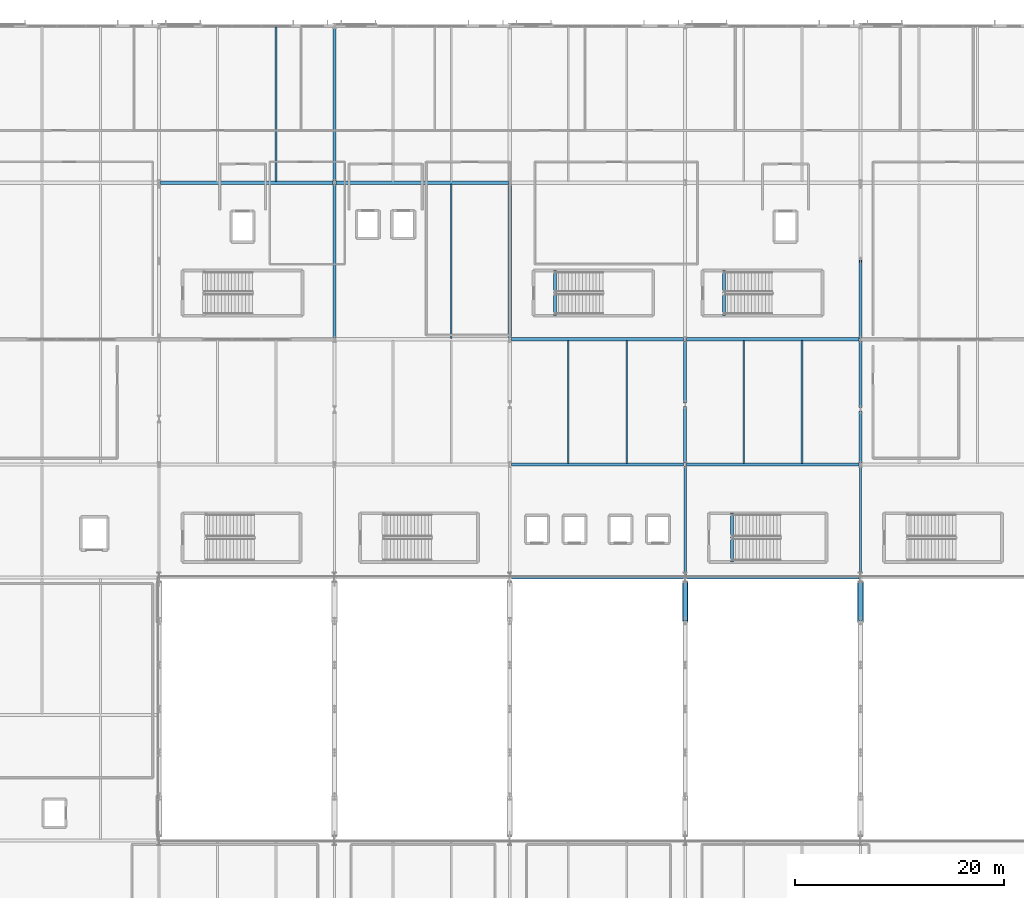
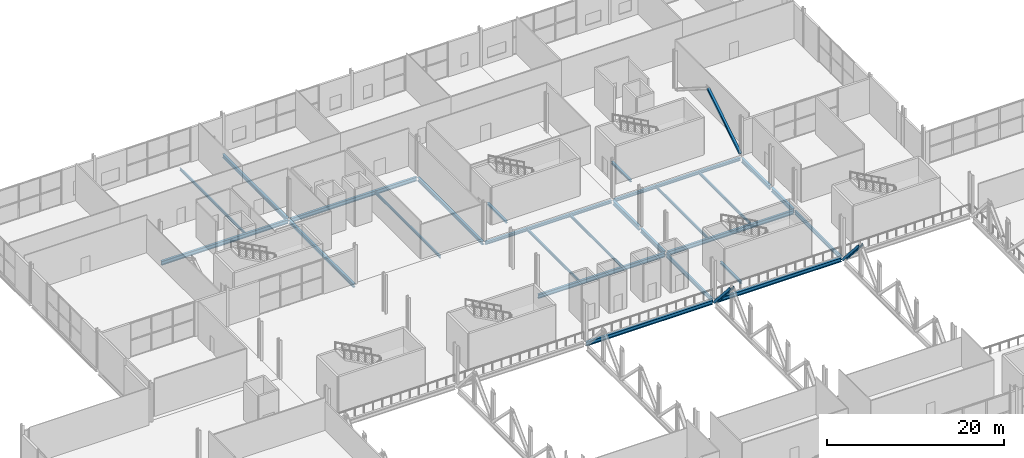
# One storey, part 31 of 84: 26 beams, 3 members.
"""IFC4 building model written with IfcOpenShell, lengths in metres."""

import ifcopenshell
import ifcopenshell.guid

model = None  # the IFC model being written
_history = None  # IfcOwnerHistory: only IFC2X3 demands one
_inside = {}  # id of a spatial element -> (the spatial element, [elements in it])
_under = {}  # id of a project, library or spatial element -> (it, [spatial elements below it])
_declared = {}  # id of a project -> (the project, [libraries it declares])
_typed = {}  # id of a type object -> (the type object, [elements of that type])
_made_of = {}  # id of a material, layer set ... -> (it, [elements and type objects made of it])


def new_model(schema):
    """Start an empty IFC model of exactly this schema.

    Asked for "IFC4X3", IfcOpenShell would pick the latest addendum, in which some entities
    have other attributes; the version numbers below select the first issue.
    IFC2X3 requires an IfcOwnerHistory on every rooted entity: one is made here for all.
    """
    global model, _history
    if schema == "IFC4X3":
        model = ifcopenshell.file(schema_version=(4, 3, 0, 0))
    else:
        model = ifcopenshell.file(schema=schema)
    _inside.clear()
    _under.clear()
    _declared.clear()
    _typed.clear()
    _made_of.clear()
    _history = None
    if model.schema == "IFC2X3":
        org = make("IfcOrganization", Name="unknown")
        user = make(
            "IfcPersonAndOrganization",
            ThePerson=make("IfcPerson", FamilyName="unknown"),
            TheOrganization=org,
        )
        app = make(
            "IfcApplication",
            ApplicationDeveloper=org,
            Version="unknown",
            ApplicationFullName="unknown",
            ApplicationIdentifier="unknown",
        )
        _history = make(
            "IfcOwnerHistory",
            OwningUser=user,
            OwningApplication=app,
            ChangeAction="ADDED",
            CreationDate=0,
        )
    return model


def make(cls, **values):
    """One entity of the class cls with the attributes given. An attribute that is None is left unset."""
    return model.create_entity(
        cls, **{name: value for name, value in values.items() if value is not None}
    )


def rooted(cls, **values):
    """An entity with a GlobalId (a new one), such as an element, a storey or a relation."""
    return make(cls, GlobalId=ifcopenshell.guid.new(), OwnerHistory=_history, **values)


def si_unit(unit_type, name, prefix=None):
    """IfcSIUnit, for example si_unit("LENGTHUNIT", "METRE", prefix="MILLI")."""
    return make("IfcSIUnit", UnitType=unit_type, Prefix=prefix, Name=name)


def assignment(units):
    """IfcUnitAssignment: the units of a project."""
    return None if units is None else make("IfcUnitAssignment", Units=units)


def point(xyz):
    """IfcCartesianPoint."""
    return None if xyz is None else make("IfcCartesianPoint", Coordinates=xyz)


def direction(xyz):
    """IfcDirection."""
    return None if xyz is None else make("IfcDirection", DirectionRatios=xyz)


def frame(location, z_axis=None, x_axis=None):
    """IfcAxis2Placement3D, a coordinate frame: its origin and axes. An axis left out is left unset."""
    return make(
        "IfcAxis2Placement3D",
        Location=point(location),
        Axis=direction(z_axis),
        RefDirection=direction(x_axis),
    )


def frame_2d(location, x_axis=None):
    """IfcAxis2Placement2D, a coordinate frame in the plane: its origin and x axis."""
    return make(
        "IfcAxis2Placement2D", Location=point(location), RefDirection=direction(x_axis)
    )


def origin():
    """The frame at (0, 0, 0) with its axes left unset."""
    return frame((0.0, 0.0, 0.0))


def origin_2d():
    """The frame at (0, 0) in the plane with its x axis left unset."""
    return frame_2d((0.0, 0.0))


def place(relative_to, where):
    """IfcLocalPlacement: puts the frame where relative to a parent placement (None: the world)."""
    return make(
        "IfcLocalPlacement", PlacementRelTo=relative_to, RelativePlacement=where
    )


def context(
    kind, dimensions, precision=None, world=None, true_north=None, identifier=None
):
    """IfcGeometricRepresentationContext, for example the 3D "Model" context."""
    return make(
        "IfcGeometricRepresentationContext",
        ContextIdentifier=identifier,
        ContextType=kind,
        CoordinateSpaceDimension=dimensions,
        Precision=precision,
        WorldCoordinateSystem=world,
        TrueNorth=true_north,
    )


def subcontext(parent, identifier, kind, view, scale=None):
    """IfcGeometricRepresentationSubContext, for example "Body" below "Model"."""
    return make(
        "IfcGeometricRepresentationSubContext",
        ContextIdentifier=identifier,
        ContextType=kind,
        ParentContext=parent,
        TargetScale=scale,
        TargetView=view,
    )


def project(units=None, contexts=None):
    """IfcProject with its units and contexts."""
    return rooted(
        "IfcProject",
        Name="project",
        RepresentationContexts=contexts,
        UnitsInContext=assignment(units),
    )


def spatial(cls, under=None, at=None, **own):
    """A site, building, storey or space (cls), placed at a placement, below another one or the project."""
    s = rooted(cls, ObjectPlacement=at, **own)
    if under is not None:
        _under.setdefault(under.id(), (under, []))[1].append(s)
    return s


def profile(cls, at=None, kind="AREA", **sizes):
    """A parametric profile (cls). Its sizes go by their IFC names, for example OverallWidth=200.0."""
    return make(cls, ProfileType=kind, Position=at, **sizes)


def i_section(**sizes):
    """IfcIShapeProfileDef."""
    return profile("IfcIShapeProfileDef", **sizes)


def extrude(swept, where, along, depth):
    """IfcExtrudedAreaSolid: the profile swept, set in the frame where, extruded along a direction by depth."""
    return make(
        "IfcExtrudedAreaSolid",
        SweptArea=swept,
        Position=where,
        ExtrudedDirection=direction(along),
        Depth=depth,
    )


def shape(context_of_items, identifier, shape_type, items):
    """IfcShapeRepresentation: the items that make up one representation, for example the "Body"."""
    return make(
        "IfcShapeRepresentation",
        ContextOfItems=context_of_items,
        RepresentationIdentifier=identifier,
        RepresentationType=shape_type,
        Items=items,
    )


def material(Name=None, Category=None):
    """IfcMaterial."""
    return make("IfcMaterial", Name=Name, Category=Category)


def material_profile(
    of_material, cross_section, Name=None, Category=None, Priority=None
):
    """IfcMaterialProfile: a cross section and its material."""
    return make(
        "IfcMaterialProfile",
        Name=Name,
        Material=of_material,
        Profile=cross_section,
        Priority=Priority,
        Category=Category,
    )


def profile_set(profiles, Name=None, composite=None):
    """IfcMaterialProfileSet."""
    return make(
        "IfcMaterialProfileSet",
        Name=Name,
        MaterialProfiles=profiles,
        CompositeProfile=composite,
    )


def made_of(thing, what):
    """Note that an element or type object is made of a material, layer set ...; save() writes the relation."""
    if what is not None:
        _made_of.setdefault(what.id(), (what, []))[1].append(thing)
    return thing


def type_object(cls, material=None, **own):
    """A type object (cls), such as IfcWallType, which elements share."""
    return made_of(rooted(cls, **own), material)


def element(
    cls,
    number,
    at=None,
    inside=None,
    cuts=None,
    type_object=None,
    material=None,
    context=None,
    identifier="Body",
    shape_type=None,
    held_by="IfcProductDefinitionShape",
    body=None,
    shapes=None,
    **own,
):
    """One element of the class cls, such as IfcWall. Its Tag is "e" and its number.

    at: its placement. inside: the storey or other place that contains it. cuts: it is an
    opening in that element (IfcRelVoidsElement). A single representation is given by context,
    identifier, shape_type and body (its items); several are given by shapes. held_by: the class
    of the entity that holds the representations. save() writes the other relations.
    """
    e = rooted(cls, Tag="e%d" % number, ObjectPlacement=at, **own)
    if body is not None:
        shapes = [shape(context, identifier, shape_type, body)]
    if shapes is not None:
        e.Representation = make(held_by, Representations=shapes)
    if inside is not None:
        _inside.setdefault(inside.id(), (inside, []))[1].append(e)
    if cuts is not None:
        rooted(
            "IfcRelVoidsElement", RelatingBuildingElement=cuts, RelatedOpeningElement=e
        )
    if type_object is not None:
        _typed.setdefault(type_object.id(), (type_object, []))[1].append(e)
    return made_of(e, material)


def aggregate(whole, parts):
    """IfcRelAggregates: a whole, such as a stair, and the parts it consists of."""
    return rooted("IfcRelAggregates", RelatingObject=whole, RelatedObjects=parts)


def save(model, path):
    """Write the relations noted so far, then the file.

    IfcRelAggregates (storeys below a building ...), IfcRelContainedInSpatialStructure (elements
    in a storey), IfcRelDefinesByType, IfcRelAssociatesMaterial and IfcRelDeclares: one each for
    every whole, place, type object, material and project.
    """
    for whole, parts in _under.values():
        aggregate(whole, parts)
    for where, things in _inside.values():
        rooted(
            "IfcRelContainedInSpatialStructure",
            RelatedElements=things,
            RelatingStructure=where,
        )
    for kind, things in _typed.values():
        rooted("IfcRelDefinesByType", RelatedObjects=things, RelatingType=kind)
    for what, things in _made_of.values():
        rooted("IfcRelAssociatesMaterial", RelatedObjects=things, RelatingMaterial=what)
    for by, libraries in _declared.values():
        rooted("IfcRelDeclares", RelatingContext=by, RelatedDefinitions=libraries)
    model.write(path)


model = new_model("IFC4")

# Units and contexts
model_context = context("Model", 3, precision=1e-05, world=origin(), true_north=direction((0.0, 1.0)))
body_context = subcontext(model_context, "Body", "Model", "MODEL_VIEW")
ifc_project = project(units=[si_unit("LENGTHUNIT", "METRE"), si_unit("AREAUNIT", "SQUARE_METRE"), si_unit("VOLUMEUNIT", "CUBIC_METRE"), si_unit("PLANEANGLEUNIT", "RADIAN"), si_unit("MASSUNIT", "GRAM", prefix="KILO")], contexts=[model_context])

# Site, building, storey
site_placement = place(None, origin())
site = spatial("IfcSite", under=ifc_project, at=site_placement, CompositionType="ELEMENT")
building_placement = place(site_placement, origin())
building = spatial("IfcBuilding", under=site, at=building_placement, Name="Kimbaza Rail Terminus", CompositionType="ELEMENT")
storey_placement = place(building_placement, frame((0.0, 0.0, 5.39990234375)))
storey = spatial("IfcBuildingStorey", under=building, at=storey_placement, Name="L01", CompositionType="ELEMENT", Elevation=5.39990234375)

# Beams
ifc_material_1 = material(Name="Steel S355", Category="steel")
ifc_material_profile_1 = material_profile(ifc_material_1, i_section(OverallWidth=0.300048828125, OverallDepth=0.2900390625, WebThickness=0.008544921875, FlangeThickness=0.013916015625, FilletRadius=0.027099609375, at=origin_2d()), Name="HEA 300")
ifc_profile_set_1 = profile_set([ifc_material_profile_1], Name="Steel S355")
beam_type_1 = type_object("IfcBeamType", Name="STR-BM-HEA300", PredefinedType="SPANDREL", material=ifc_profile_set_1)
for number, where, z_axis, x_axis, name in (
    (1, (109.919921875, 105.260009765625, -0.385009765625), (0.0, 1.0, 0.0), (-1.0, 0.0, 0.0), "Operations Central Exit Stair Landing Trimmer Beam L01"),
    (2, (126.1201171875, 105.260009765625, -0.385009765625), (0.0, 1.0, 0.0), (-1.0, 0.0, 0.0), "Operations East Exit Stair Landing Trimmer Beam L01"),
):
    element("IfcBeam", number, at=place(storey_placement, frame(where, z_axis=z_axis, x_axis=x_axis)), inside=storey, type_object=beam_type_1, Name=name, PredefinedType="SPANDREL", context=body_context, shape_type="SweptSolid", body=[
        extrude(i_section(OverallWidth=0.300048828125, OverallDepth=0.2900390625, WebThickness=0.008544921875, FlangeThickness=0.013916015625, FilletRadius=0.027099609375, at=origin_2d()), origin(), (0.0, 0.0, 1.0), 4.320068359375),
    ])
beam_1_placement = place(storey_placement, frame((126.89990234375, 81.659912109375, -0.364990234375), z_axis=(0.0, 1.0, 0.0), x_axis=(-1.0, 0.0, 0.0)))
element("IfcBeam", 3, at=beam_1_placement, inside=storey, type_object=beam_type_1, Name="Footbridge East Platform Stair Landing Trimmer Beam L01", PredefinedType="SPANDREL", context=body_context, shape_type="SweptSolid", body=[
    extrude(i_section(OverallWidth=0.300048828125, OverallDepth=0.2900390625, WebThickness=0.008544921875, FlangeThickness=0.013916015625, FilletRadius=0.027099609375, at=origin_2d()), origin(), (0.0, 0.0, 1.0), 4.68017578125),
])
ifc_material_2 = material(Name="Steel S355", Category="steel")
ifc_material_profile_2 = material_profile(ifc_material_2, i_section(OverallWidth=0.300048828125, OverallDepth=0.389892578125, WebThickness=0.010986328125, FlangeThickness=0.01904296875, FilletRadius=0.027099609375, at=origin_2d()), Name="HEA 400")
ifc_profile_set_2 = profile_set([ifc_material_profile_2], Name="Steel S355")
beam_type_2 = type_object("IfcBeamType", Name="STR-BM-HEA400", PredefinedType="SPANDREL", material=ifc_profile_set_2)
beam_2_placement = place(storey_placement, frame((105.74609375, 103.0, -0.434814453125), z_axis=(1.0, 0.0, 0.0), x_axis=(0.0, 1.0, 0.0)))
element("IfcBeam", 4, at=beam_2_placement, inside=storey, type_object=beam_type_2, Name="Operations Girder L01 X3-Y0", PredefinedType="SPANDREL", context=body_context, shape_type="SweptSolid", body=[
    extrude(i_section(OverallWidth=0.300048828125, OverallDepth=0.389892578125, WebThickness=0.010986328125, FlangeThickness=0.01904296875, FilletRadius=0.027099609375, at=origin_2d()), origin(), (0.0, 0.0, 1.0), 16.5078125),
])
beam_3_placement = place(storey_placement, frame((122.5458984375, 103.0, -0.434814453125), z_axis=(1.0, 0.0, 0.0), x_axis=(0.0, 1.0, 0.0)))
element("IfcBeam", 5, at=beam_3_placement, inside=storey, type_object=beam_type_2, Name="Operations Girder L01 X4-Y0", PredefinedType="SPANDREL", context=body_context, shape_type="SweptSolid", body=[
    extrude(i_section(OverallWidth=0.300048828125, OverallDepth=0.389892578125, WebThickness=0.010986328125, FlangeThickness=0.01904296875, FilletRadius=0.027099609375, at=origin_2d()), origin(), (0.0, 0.0, 1.0), 16.508056640625),
])
ifc_material_3 = material(Name="Steel S355", Category="steel")
ifc_material_profile_3 = material_profile(ifc_material_3, i_section(OverallWidth=0.300048828125, OverallDepth=0.5, WebThickness=0.014404296875, FlangeThickness=0.028076171875, FilletRadius=0.027099609375, at=origin_2d()), Name="HEB 500")
ifc_profile_set_3 = profile_set([ifc_material_profile_3], Name="Steel S355")
beam_type_3 = type_object("IfcBeamType", Name="STR-BM-HEB500", PredefinedType="BEAM", material=ifc_profile_set_3)
for number, where, z_axis, x_axis, name in (
    (6, (88.800048828125, 103.175048828125, -0.489990234375), (0.0, 1.0, 0.0), (-1.0, 0.0, 0.0), "Operations Cross Girder L01 X2-Y0"),
    (7, (88.800048828125, 118.175048828125, -0.489990234375), (0.0, 1.0, 0.0), (-1.0, 0.0, 0.0), "Operations Cross Girder L01 X2-Y1"),
    (8, (105.60009765625, 103.175048828125, -0.489990234375), (0.0, 1.0, 0.0), (-1.0, 0.0, 0.0), "Operations Cross Girder L01 X3-Y0"),
):
    element("IfcBeam", number, at=place(storey_placement, frame(where, z_axis=z_axis, x_axis=x_axis)), inside=storey, type_object=beam_type_3, Name=name, PredefinedType="BEAM", context=body_context, shape_type="SweptSolid", body=[
        extrude(i_section(OverallWidth=0.300048828125, OverallDepth=0.5, WebThickness=0.014404296875, FlangeThickness=0.028076171875, FilletRadius=0.027099609375, at=origin_2d()), origin(), (0.0, 0.0, 1.0), 14.64990234375),
    ])
ifc_material_4 = material(Name="Steel S355", Category="steel")
ifc_material_profile_4 = material_profile(ifc_material_4, i_section(OverallWidth=0.300048828125, OverallDepth=0.550048828125, WebThickness=0.014892578125, FlangeThickness=0.029052734375, FilletRadius=0.027099609375, at=origin_2d()), Name="HEB 550")
ifc_profile_set_4 = profile_set([ifc_material_profile_4], Name="Steel S355")
beam_type_4 = type_object("IfcBeamType", Name="STR-BM-HEB550", PredefinedType="BEAM", material=ifc_profile_set_4)
for number, where, z_axis, x_axis, name in (
    (9, (72.14599609375, 118.0, -0.514892578125), (1.0, 0.0, 0.0), (0.0, 1.0, 0.0), "Operations Girder L01 X1-Y1"),
    (10, (88.946044921875, 118.0, -0.514892578125), (1.0, 0.0, 0.0), (0.0, 1.0, 0.0), "Operations Girder L01 X2-Y1"),
):
    element("IfcBeam", number, at=place(storey_placement, frame(where, z_axis=z_axis, x_axis=x_axis)), inside=storey, type_object=beam_type_4, Name=name, PredefinedType="BEAM", context=body_context, shape_type="SweptSolid", body=[
        extrude(i_section(OverallWidth=0.300048828125, OverallDepth=0.550048828125, WebThickness=0.014892578125, FlangeThickness=0.029052734375, FilletRadius=0.027099609375, at=origin_2d()), origin(), (0.0, 0.0, 1.0), 16.508056640625),
    ])
beam_4_placement = place(storey_placement, frame((105.74609375, 80.199951171875, -0.494873046875), z_axis=(1.0, 0.0, 0.0), x_axis=(0.0, 1.0, 0.0)))
element("IfcBeam", 11, at=beam_4_placement, inside=storey, type_object=beam_type_4, Name="Beam BM-V2X-L01-80-4", PredefinedType="BEAM", context=body_context, shape_type="SweptSolid", body=[
    extrude(i_section(OverallWidth=0.300048828125, OverallDepth=0.550048828125, WebThickness=0.014892578125, FlangeThickness=0.029052734375, FilletRadius=0.027099609375, at=origin_2d()), origin(), (0.0, 0.0, 1.0), 16.5078125),
])
beam_5_placement = place(storey_placement, frame((122.5458984375, 80.199951171875, -0.494873046875), z_axis=(1.0, 0.0, 0.0), x_axis=(0.0, 1.0, 0.0)))
element("IfcBeam", 12, at=beam_5_placement, inside=storey, type_object=beam_type_4, Name="Beam BM-V2X-L01-80-5", PredefinedType="BEAM", context=body_context, shape_type="SweptSolid", body=[
    extrude(i_section(OverallWidth=0.300048828125, OverallDepth=0.550048828125, WebThickness=0.014892578125, FlangeThickness=0.029052734375, FilletRadius=0.027099609375, at=origin_2d()), origin(), (0.0, 0.0, 1.0), 16.508056640625),
])
beam_6_placement = place(storey_placement, frame((105.74609375, 91.0, -0.494873046875), z_axis=(1.0, 0.0, 0.0), x_axis=(0.0, 1.0, 0.0)))
element("IfcBeam", 13, at=beam_6_placement, inside=storey, type_object=beam_type_4, Name="Beam BM-V2X-L01-91-4", PredefinedType="BEAM", context=body_context, shape_type="SweptSolid", body=[
    extrude(i_section(OverallWidth=0.300048828125, OverallDepth=0.550048828125, WebThickness=0.014892578125, FlangeThickness=0.029052734375, FilletRadius=0.027099609375, at=origin_2d()), origin(), (0.0, 0.0, 1.0), 16.5078125),
])
beam_7_placement = place(storey_placement, frame((122.5458984375, 91.0, -0.494873046875), z_axis=(1.0, 0.0, 0.0), x_axis=(0.0, 1.0, 0.0)))
element("IfcBeam", 14, at=beam_7_placement, inside=storey, type_object=beam_type_4, Name="Beam BM-V2X-L01-91-5", PredefinedType="BEAM", context=body_context, shape_type="SweptSolid", body=[
    extrude(i_section(OverallWidth=0.300048828125, OverallDepth=0.550048828125, WebThickness=0.014892578125, FlangeThickness=0.029052734375, FilletRadius=0.027099609375, at=origin_2d()), origin(), (0.0, 0.0, 1.0), 16.508056640625),
])
ifc_material_5 = material(Name="Steel S355", Category="steel")
ifc_material_profile_5 = material_profile(ifc_material_5, i_section(OverallWidth=0.300048828125, OverallDepth=0.60009765625, WebThickness=0.015380859375, FlangeThickness=0.030029296875, FilletRadius=0.027099609375, at=origin_2d()), Name="HEB 600")
ifc_profile_set_5 = profile_set([ifc_material_profile_5], Name="Steel S355")
beam_type_5 = type_object("IfcBeamType", Name="STR-BM-HEB600", PredefinedType="BEAM", material=ifc_profile_set_5)
beam_8_placement = place(storey_placement, frame((122.39990234375, 91.175048828125, -0.52001953125), z_axis=(0.0, 1.0, 0.0), x_axis=(-1.0, 0.0, 0.0)))
element("IfcBeam", 15, at=beam_8_placement, inside=storey, type_object=beam_type_5, Name="Beam BM-VSPN-L01-6", PredefinedType="BEAM", context=body_context, shape_type="SweptSolid", body=[
    extrude(i_section(OverallWidth=0.300048828125, OverallDepth=0.60009765625, WebThickness=0.015380859375, FlangeThickness=0.030029296875, FilletRadius=0.027099609375, at=origin_2d()), origin(), (0.0, 0.0, 1.0), 5.39306640625),
])
beam_9_placement = place(storey_placement, frame((122.39990234375, 96.918212890625, -0.52001953125), z_axis=(0.0, 1.0, 0.0), x_axis=(-1.0, 0.0, 0.0)))
element("IfcBeam", 16, at=beam_9_placement, inside=storey, type_object=beam_type_5, Name="Beam BM-VSPN2-L01-6", PredefinedType="BEAM", context=body_context, shape_type="SweptSolid", body=[
    extrude(i_section(OverallWidth=0.300048828125, OverallDepth=0.60009765625, WebThickness=0.015380859375, FlangeThickness=0.030029296875, FilletRadius=0.027099609375, at=origin_2d()), origin(), (0.0, 0.0, 1.0), 5.90673828125),
])
beam_10_placement = place(storey_placement, frame((139.199951171875, 91.175048828125, -0.52001953125), z_axis=(0.0, 1.0, 0.0), x_axis=(-1.0, 0.0, 0.0)))
element("IfcBeam", 17, at=beam_10_placement, inside=storey, type_object=beam_type_5, Name="Beam BM-VSPN-L01-7", PredefinedType="BEAM", context=body_context, shape_type="SweptSolid", body=[
    extrude(i_section(OverallWidth=0.300048828125, OverallDepth=0.60009765625, WebThickness=0.015380859375, FlangeThickness=0.030029296875, FilletRadius=0.027099609375, at=origin_2d()), origin(), (0.0, 0.0, 1.0), 4.937744140625),
])
beam_11_placement = place(storey_placement, frame((139.199951171875, 96.462646484375, -0.52001953125), z_axis=(0.0, 1.0, 0.0), x_axis=(-1.0, 0.0, 0.0)))
element("IfcBeam", 18, at=beam_11_placement, inside=storey, type_object=beam_type_5, Name="Beam BM-VSPN2-L01-7", PredefinedType="BEAM", context=body_context, shape_type="SweptSolid", body=[
    extrude(i_section(OverallWidth=0.300048828125, OverallDepth=0.60009765625, WebThickness=0.015380859375, FlangeThickness=0.030029296875, FilletRadius=0.027099609375, at=origin_2d()), origin(), (0.0, 0.0, 1.0), 6.3623046875),
])
ifc_material_6 = material(Name="Steel S355", Category="steel")
ifc_material_profile_6 = material_profile(ifc_material_6, i_section(OverallWidth=0.169921875, OverallDepth=0.360107421875, WebThickness=0.008056640625, FlangeThickness=0.0126953125, FilletRadius=0.01806640625, at=origin_2d()), Name="IPE 360")
ifc_profile_set_6 = profile_set([ifc_material_profile_6], Name="Steel S355")
beam_type_6 = type_object("IfcBeamType", Name="STR-BM-IPE360", PredefinedType="JOIST", material=ifc_profile_set_6)
for number, where, z_axis, x_axis, name in (
    (19, (83.199951171875, 118.10009765625, -0.419921875), (0.0, 1.0, 0.0), (-1.0, 0.0, 0.0), "Operations Secondary Joist L01"),
    (20, (100.0, 103.10009765625, -0.419921875), (0.0, 1.0, 0.0), (-1.0, 0.0, 0.0), "Operations Secondary Joist L01"),
):
    element("IfcBeam", number, at=place(storey_placement, frame(where, z_axis=z_axis, x_axis=x_axis)), inside=storey, type_object=beam_type_6, Name=name, PredefinedType="JOIST", context=body_context, shape_type="SweptSolid", body=[
        extrude(i_section(OverallWidth=0.169921875, OverallDepth=0.360107421875, WebThickness=0.008056640625, FlangeThickness=0.0126953125, FilletRadius=0.01806640625, at=origin_2d()), origin(), (0.0, 0.0, 1.0), 14.7998046875),
    ])
for number, where, z_axis, x_axis, name in (
    (21, (111.199951171875, 91.10009765625, -0.39990234375), (0.0, 1.0, 0.0), (-1.0, 0.0, 0.0), "Beam JST-V2-L01-3-1-91"),
    (22, (116.800048828125, 91.10009765625, -0.39990234375), (0.0, 1.0, 0.0), (-1.0, 0.0, 0.0), "Beam JST-V2-L01-3-2-91"),
    (23, (128.0, 91.10009765625, -0.39990234375), (0.0, 1.0, 0.0), (-1.0, 0.0, 0.0), "Beam JST-V2-L01-4-1-91"),
    (24, (133.60009765625, 91.10009765625, -0.39990234375), (0.0, 1.0, 0.0), (-1.0, 0.0, 0.0), "Beam JST-V2-L01-4-2-91"),
):
    element("IfcBeam", number, at=place(storey_placement, frame(where, z_axis=z_axis, x_axis=x_axis)), inside=storey, type_object=beam_type_6, Name=name, PredefinedType="JOIST", context=body_context, shape_type="SweptSolid", body=[
        extrude(i_section(OverallWidth=0.169921875, OverallDepth=0.360107421875, WebThickness=0.008056640625, FlangeThickness=0.0126953125, FilletRadius=0.01806640625, at=origin_2d()), origin(), (0.0, 0.0, 1.0), 11.7998046875),
    ])
ifc_material_7 = material(Name="Steel S355", Category="steel")
ifc_material_profile_7 = material_profile(ifc_material_7, i_section(OverallWidth=0.2099609375, OverallDepth=0.550048828125, WebThickness=0.010986328125, FlangeThickness=0.01708984375, FilletRadius=0.02392578125, at=origin_2d()), Name="IPE 550")
ifc_profile_set_7 = profile_set([ifc_material_profile_7], Name="Steel S355")
beam_type_7 = type_object("IfcBeamType", Name="STR-BM-IPE550", PredefinedType="BEAM", material=ifc_profile_set_7)
for number, where, z_axis, x_axis, name in (
    (25, (122.39990234375, 80.375, -0.494873046875), (0.0, 1.0, 0.0), (-1.0, 0.0, 0.0), "Beam BM-V2Y-L01-4-80"),
    (26, (139.199951171875, 80.375, -0.494873046875), (0.0, 1.0, 0.0), (-1.0, 0.0, 0.0), "Beam BM-V2Y-L01-5-80"),
):
    element("IfcBeam", number, at=place(storey_placement, frame(where, z_axis=z_axis, x_axis=x_axis)), inside=storey, type_object=beam_type_7, Name=name, PredefinedType="BEAM", context=body_context, shape_type="SweptSolid", body=[
        extrude(i_section(OverallWidth=0.2099609375, OverallDepth=0.550048828125, WebThickness=0.010986328125, FlangeThickness=0.01708984375, FilletRadius=0.02392578125, at=origin_2d()), origin(), (0.0, 0.0, 1.0), 10.449951171875),
    ])

# Members
ifc_material_8 = material(Name="Steel S355", Category="steel")
ifc_material_profile_8 = material_profile(ifc_material_8, i_section(OverallWidth=0.300048828125, OverallDepth=0.300048828125, WebThickness=0.010986328125, FlangeThickness=0.01904296875, FilletRadius=0.027099609375, at=origin_2d()), Name="HEB 300")
ifc_profile_set_8 = profile_set([ifc_material_profile_8], Name="Steel S355")
member_type_1 = type_object("IfcMemberType", Name="STR-MB-HEB300", PredefinedType="BRACE", material=ifc_profile_set_8)
member_placement = place(storey_placement, frame((139.199951171875, 103.179931640625, 0.050048828125), z_axis=(0.0, 0.846171567323, 0.53291057285), x_axis=(-1.0, 0.0, 0.0)))
element("IfcMember", 27, at=member_placement, inside=storey, type_object=member_type_1, Name="Core Chevron Brace 6A", PredefinedType="BRACE", context=body_context, shape_type="SweptSolid", body=[
    extrude(i_section(OverallWidth=0.300048828125, OverallDepth=0.300048828125, WebThickness=0.010986328125, FlangeThickness=0.01904296875, FilletRadius=0.027099609375, at=origin_2d()), origin(), (0.0, 0.0, 1.0), 8.65087890625),
])
ifc_material_9 = material(Name="Steel S355", Category="steel")
ifc_material_profile_9 = material_profile(ifc_material_9, i_section(OverallWidth=0.300048828125, OverallDepth=0.550048828125, WebThickness=0.014892578125, FlangeThickness=0.029052734375, FilletRadius=0.027099609375, at=origin_2d()), Name="HEB 550")
ifc_profile_set_9 = profile_set([ifc_material_profile_9], Name="Steel S355")
member_type_2 = type_object("IfcMemberType", Name="STR-MB-HEB550", PredefinedType="BRACE", material=ifc_profile_set_9)
for number, where, z_axis, x_axis, name in (
    (28, (122.39990234375, 76.0, 3.955078125), (0.0, 0.660856906539, -0.750511924675), (0.0, 0.750511924675, 0.660856906539), "Warren Transfer Truss Diagonal WT-04-6"),
    (29, (139.199951171875, 76.0, 3.955078125), (0.0, 0.660856906539, -0.750511924675), (0.0, 0.750511924675, 0.660856906539), "Warren Transfer Truss Diagonal WT-05-6"),
):
    element("IfcMember", number, at=place(storey_placement, frame(where, z_axis=z_axis, x_axis=x_axis)), inside=storey, type_object=member_type_2, Name=name, PredefinedType="BRACE", context=body_context, shape_type="SweptSolid", body=[
        extrude(i_section(OverallWidth=0.300048828125, OverallDepth=0.550048828125, WebThickness=0.014892578125, FlangeThickness=0.029052734375, FilletRadius=0.027099609375, at=origin_2d()), origin(), (0.0, 0.0, 1.0), 5.5986328125),
    ])

save(model, "model.ifc")
